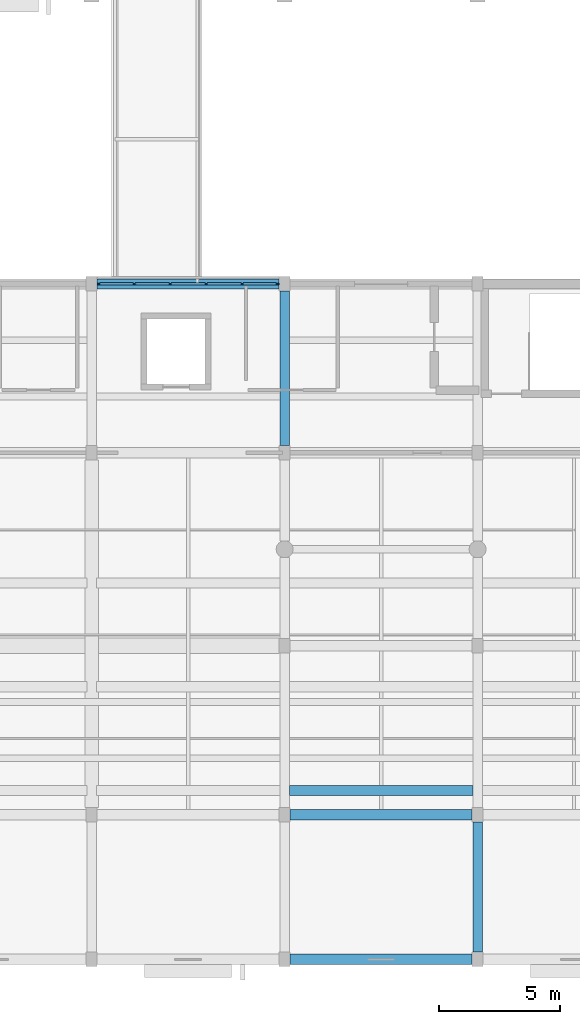
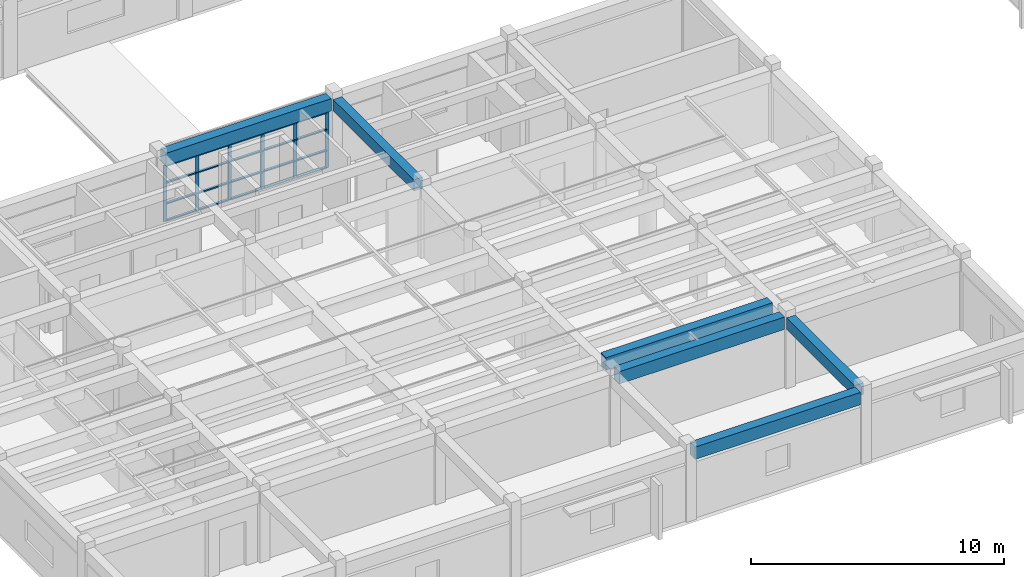
# One storey, part 3 of 33: 26 members, 6 beams, 1 element without a shape of its own.
"""IFC4 building model written with IfcOpenShell, lengths in metres."""

from ifc_helpers import new_model, si_unit, direction, frame, origin, origin_2d, place, context, subcontext, project, spatial, rectangle, extrude, material, layer, layer_set, material_profile, profile_set, type_object, element, aggregate, save


model = new_model("IFC4")

# Units and contexts
model_context = context("Model", 3, precision=1e-05, world=origin(), true_north=direction((0.0, 1.0)))
body_context = subcontext(model_context, "Body", "Model", "MODEL_VIEW")
ifc_project = project(units=[si_unit("LENGTHUNIT", "METRE"), si_unit("AREAUNIT", "SQUARE_METRE"), si_unit("VOLUMEUNIT", "CUBIC_METRE"), si_unit("PLANEANGLEUNIT", "RADIAN"), si_unit("MASSUNIT", "GRAM", prefix="KILO")], contexts=[model_context])

# Site, building, storey
site_placement = place(None, origin())
site = spatial("IfcSite", under=ifc_project, at=site_placement, CompositionType="ELEMENT")
building_placement = place(site_placement, origin())
building = spatial("IfcBuilding", under=site, at=building_placement, Name="Naurynzar Civic Courthouse", CompositionType="ELEMENT")
storey_placement = place(building_placement, frame((0.0, 0.0, 22.050048828125)))
storey = spatial("IfcBuildingStorey", under=building, at=storey_placement, Name="L06", CompositionType="ELEMENT", Elevation=22.050048828125)

# Beams
ifc_material_1 = material(Name="Concrete C40/50", Category="concrete")
ifc_material_profile_1 = material_profile(ifc_material_1, rectangle(XDim=0.39990234375, YDim=0.550048828125, at=origin_2d()), Name="RCB 400x550")
ifc_profile_set_1 = profile_set([ifc_material_profile_1], Name="Concrete C40/50")
beam_type_1 = type_object("IfcBeamType", Name="BM-RC-400x550", PredefinedType="BEAM", material=ifc_profile_set_1)
beam_1_placement = place(storey_placement, frame((101.0, 25.300048828125, 3.155029296875), z_axis=(0.0, 1.0, 0.0), x_axis=(-1.0, 0.0, 0.0)))
element("IfcBeam", 1, at=beam_1_placement, inside=storey, type_object=beam_type_1, Name="V3 girder Y-1672 L06", PredefinedType="BEAM", context=body_context, shape_type="SweptSolid", body=[
    extrude(rectangle(XDim=0.39990234375, YDim=0.550048828125, at=origin_2d()), origin(), (0.0, 0.0, 1.0), 6.39990234375),
])
beam_2_placement = place(storey_placement, frame((109.0, 4.300048828125, 3.155029296875), z_axis=(0.0, 1.0, 0.0), x_axis=(-1.0, 0.0, 0.0)))
element("IfcBeam", 2, at=beam_2_placement, inside=storey, type_object=beam_type_1, Name="V3 girder Y-1673 L06", PredefinedType="BEAM", context=body_context, shape_type="SweptSolid", body=[
    extrude(rectangle(XDim=0.39990234375, YDim=0.550048828125, at=origin_2d()), origin(), (0.0, 0.0, 1.0), 5.39990234375),
])
ifc_material_2 = material(Name="Concrete C40/50", Category="concrete")
ifc_material_profile_2 = material_profile(ifc_material_2, rectangle(XDim=0.425048828125, YDim=0.60009765625, at=origin_2d()), Name="RCB 425x600")
ifc_profile_set_2 = profile_set([ifc_material_profile_2], Name="Concrete C40/50")
beam_type_2 = type_object("IfcBeamType", Name="BM-RC-425x600", PredefinedType="BEAM", material=ifc_profile_set_2)
for number, where, z_axis, x_axis, name in (
    (3, (101.22509765625, 4.0, 3.1298828125), (1.0, 0.0, 0.0), (0.0, 1.0, 0.0), "V3 beam X-1634 L06"),
    (4, (101.22509765625, 10.0, 3.1298828125), (1.0, 0.0, 0.0), (0.0, 1.0, 0.0), "V3 beam X-1639 L06"),
    (5, (93.22509765625, 32.0, 3.1298828125), (1.0, 0.0, 0.0), (0.0, 1.0, 0.0), "V3 beam X-1652 L06"),
):
    element("IfcBeam", number, at=place(storey_placement, frame(where, z_axis=z_axis, x_axis=x_axis)), inside=storey, type_object=beam_type_2, Name=name, PredefinedType="BEAM", context=body_context, shape_type="SweptSolid", body=[
        extrude(rectangle(XDim=0.425048828125, YDim=0.60009765625, at=origin_2d()), origin(), (0.0, 0.0, 1.0), 7.5498046875),
    ])
beam_3_placement = place(storey_placement, frame((101.199951171875, 11.0, 3.199951171875), z_axis=(1.0, 0.0, 0.0), x_axis=(0.0, 1.0, 0.0)))
element("IfcBeam", 6, at=beam_3_placement, inside=storey, type_object=beam_type_2, Name="V3 clerestory valley beam 4", PredefinedType="BEAM", context=body_context, shape_type="SweptSolid", body=[
    extrude(rectangle(XDim=0.425048828125, YDim=0.60009765625, at=origin_2d()), origin(), (0.0, 0.0, 1.0), 7.60009765625),
])

# Curtain wall, members
ifc_material_3 = material(Name="Aluminium 6063-T6", Category="aluminium")
ifc_layer = layer(ifc_material_3, 0.179931640625)
ifc_layer_set = layer_set([ifc_layer], Name="CW-UNIT-1500")
curtain_wall_type = type_object("IfcCurtainWallType", Name="CW-UNIT-1500", PredefinedType="NOTDEFINED", material=ifc_layer_set)
curtain_wall_placement = place(storey_placement, origin())
curtain_wall = element("IfcCurtainWall", 7, at=curtain_wall_placement, inside=storey, type_object=curtain_wall_type, Name="V3 unitised curtain wall 73 L06", PredefinedType="NOTDEFINED")
ifc_material_4 = material(Name="Aluminium 6063-T6", Category="aluminium")
ifc_material_profile_3 = material_profile(ifc_material_4, rectangle(XDim=0.06005859375, YDim=0.14990234375, at=origin_2d()), Name="ALU MULLION 60x150")
ifc_profile_set_3 = profile_set([ifc_material_profile_3], Name="Aluminium 6063-T6")
member_type_1 = type_object("IfcMemberType", Name="CWM-60x150", PredefinedType="MULLION", material=ifc_profile_set_3)
member_1_placement = place(storey_placement, frame((93.304931640625, 32.0, 0.0), z_axis=(0.0, 0.0, 1.0), x_axis=(0.0, 1.0, 0.0)))
member_1 = element("IfcMember", 8, at=member_1_placement, type_object=member_type_1, Name="CW-01 mullion 1", PredefinedType="MULLION", context=body_context, shape_type="SweptSolid", body=[
    extrude(rectangle(XDim=0.06005859375, YDim=0.14990234375, at=origin_2d()), origin(), (0.0, 0.0, 1.0), 2.7099609375),
])
member_2_placement = place(storey_placement, frame((94.764892578125, 32.0, 0.0), z_axis=(0.0, 0.0, 1.0), x_axis=(0.0, 1.0, 0.0)))
member_2 = element("IfcMember", 9, at=member_2_placement, type_object=member_type_1, Name="CW-01 mullion 2", PredefinedType="MULLION", context=body_context, shape_type="SweptSolid", body=[
    extrude(rectangle(XDim=0.06005859375, YDim=0.14990234375, at=origin_2d()), origin(), (0.0, 0.0, 1.0), 2.7099609375),
])
member_3_placement = place(storey_placement, frame((96.2548828125, 32.0, 0.0), z_axis=(0.0, 0.0, 1.0), x_axis=(0.0, 1.0, 0.0)))
member_3 = element("IfcMember", 10, at=member_3_placement, type_object=member_type_1, Name="CW-01 mullion 3", PredefinedType="MULLION", context=body_context, shape_type="SweptSolid", body=[
    extrude(rectangle(XDim=0.06005859375, YDim=0.14990234375, at=origin_2d()), origin(), (0.0, 0.0, 1.0), 2.7099609375),
])
member_4_placement = place(storey_placement, frame((97.7451171875, 32.0, 0.0), z_axis=(0.0, 0.0, 1.0), x_axis=(0.0, 1.0, 0.0)))
member_4 = element("IfcMember", 11, at=member_4_placement, type_object=member_type_1, Name="CW-01 mullion 4", PredefinedType="MULLION", context=body_context, shape_type="SweptSolid", body=[
    extrude(rectangle(XDim=0.06005859375, YDim=0.14990234375, at=origin_2d()), origin(), (0.0, 0.0, 1.0), 2.7099609375),
])
member_5_placement = place(storey_placement, frame((99.235107421875, 32.0, 0.0), z_axis=(0.0, 0.0, 1.0), x_axis=(0.0, 1.0, 0.0)))
member_5 = element("IfcMember", 12, at=member_5_placement, type_object=member_type_1, Name="CW-01 mullion 5", PredefinedType="MULLION", context=body_context, shape_type="SweptSolid", body=[
    extrude(rectangle(XDim=0.06005859375, YDim=0.14990234375, at=origin_2d()), origin(), (0.0, 0.0, 1.0), 2.7099609375),
])
member_6_placement = place(storey_placement, frame((100.695068359375, 32.0, 0.0), z_axis=(0.0, 0.0, 1.0), x_axis=(0.0, 1.0, 0.0)))
member_6 = element("IfcMember", 13, at=member_6_placement, type_object=member_type_1, Name="CW-01 mullion 6", PredefinedType="MULLION", context=body_context, shape_type="SweptSolid", body=[
    extrude(rectangle(XDim=0.06005859375, YDim=0.14990234375, at=origin_2d()), origin(), (0.0, 0.0, 1.0), 2.7099609375),
])
ifc_material_5 = material(Name="Aluminium 6063-T6", Category="aluminium")
ifc_material_profile_4 = material_profile(ifc_material_5, rectangle(XDim=0.110107421875, YDim=0.06005859375, at=origin_2d()), Name="ALU TRANSOM 60x110")
ifc_profile_set_4 = profile_set([ifc_material_profile_4], Name="Aluminium 6063-T6")
member_type_2 = type_object("IfcMemberType", Name="CWT-60x110", PredefinedType="USERDEFINED", material=ifc_profile_set_4)
member_7_placement = place(storey_placement, frame((93.3349609375, 32.0, 0.030029296875), z_axis=(1.0, 0.0, 0.0), x_axis=(0.0, 1.0, 0.0)))
member_7 = element("IfcMember", 14, at=member_7_placement, type_object=member_type_2, Name="CW-01 transom 1.1", ObjectType="TRANSOM", PredefinedType="USERDEFINED", context=body_context, shape_type="SweptSolid", body=[
    extrude(rectangle(XDim=0.110107421875, YDim=0.06005859375, at=origin_2d()), origin(), (0.0, 0.0, 1.0), 1.400146484375),
])
member_8_placement = place(storey_placement, frame((93.3349609375, 32.0, 0.849853515625), z_axis=(1.0, 0.0, 0.0), x_axis=(0.0, 1.0, 0.0)))
member_8 = element("IfcMember", 15, at=member_8_placement, type_object=member_type_2, Name="CW-01 transom 1.2", ObjectType="TRANSOM", PredefinedType="USERDEFINED", context=body_context, shape_type="SweptSolid", body=[
    extrude(rectangle(XDim=0.110107421875, YDim=0.06005859375, at=origin_2d()), origin(), (0.0, 0.0, 1.0), 1.400146484375),
])
member_9_placement = place(storey_placement, frame((93.3349609375, 32.0, 1.85986328125), z_axis=(1.0, 0.0, 0.0), x_axis=(0.0, 1.0, 0.0)))
member_9 = element("IfcMember", 16, at=member_9_placement, type_object=member_type_2, Name="CW-01 transom 1.3", ObjectType="TRANSOM", PredefinedType="USERDEFINED", context=body_context, shape_type="SweptSolid", body=[
    extrude(rectangle(XDim=0.110107421875, YDim=0.06005859375, at=origin_2d()), origin(), (0.0, 0.0, 1.0), 1.400146484375),
])
member_10_placement = place(storey_placement, frame((93.3349609375, 32.0, 2.679931640625), z_axis=(1.0, 0.0, 0.0), x_axis=(0.0, 1.0, 0.0)))
member_10 = element("IfcMember", 17, at=member_10_placement, type_object=member_type_2, Name="CW-01 transom 1.4", ObjectType="TRANSOM", PredefinedType="USERDEFINED", context=body_context, shape_type="SweptSolid", body=[
    extrude(rectangle(XDim=0.110107421875, YDim=0.06005859375, at=origin_2d()), origin(), (0.0, 0.0, 1.0), 1.400146484375),
])
member_11_placement = place(storey_placement, frame((94.794921875, 32.0, 0.030029296875), z_axis=(1.0, 0.0, 0.0), x_axis=(0.0, 1.0, 0.0)))
member_11 = element("IfcMember", 18, at=member_11_placement, type_object=member_type_2, Name="CW-01 transom 2.1", ObjectType="TRANSOM", PredefinedType="USERDEFINED", context=body_context, shape_type="SweptSolid", body=[
    extrude(rectangle(XDim=0.110107421875, YDim=0.06005859375, at=origin_2d()), origin(), (0.0, 0.0, 1.0), 1.43017578125),
])
member_12_placement = place(storey_placement, frame((94.794921875, 32.0, 0.849853515625), z_axis=(1.0, 0.0, 0.0), x_axis=(0.0, 1.0, 0.0)))
member_12 = element("IfcMember", 19, at=member_12_placement, type_object=member_type_2, Name="CW-01 transom 2.2", ObjectType="TRANSOM", PredefinedType="USERDEFINED", context=body_context, shape_type="SweptSolid", body=[
    extrude(rectangle(XDim=0.110107421875, YDim=0.06005859375, at=origin_2d()), origin(), (0.0, 0.0, 1.0), 1.43017578125),
])
member_13_placement = place(storey_placement, frame((94.794921875, 32.0, 1.85986328125), z_axis=(1.0, 0.0, 0.0), x_axis=(0.0, 1.0, 0.0)))
member_13 = element("IfcMember", 20, at=member_13_placement, type_object=member_type_2, Name="CW-01 transom 2.3", ObjectType="TRANSOM", PredefinedType="USERDEFINED", context=body_context, shape_type="SweptSolid", body=[
    extrude(rectangle(XDim=0.110107421875, YDim=0.06005859375, at=origin_2d()), origin(), (0.0, 0.0, 1.0), 1.43017578125),
])
member_14_placement = place(storey_placement, frame((94.794921875, 32.0, 2.679931640625), z_axis=(1.0, 0.0, 0.0), x_axis=(0.0, 1.0, 0.0)))
member_14 = element("IfcMember", 21, at=member_14_placement, type_object=member_type_2, Name="CW-01 transom 2.4", ObjectType="TRANSOM", PredefinedType="USERDEFINED", context=body_context, shape_type="SweptSolid", body=[
    extrude(rectangle(XDim=0.110107421875, YDim=0.06005859375, at=origin_2d()), origin(), (0.0, 0.0, 1.0), 1.43017578125),
])
member_15_placement = place(storey_placement, frame((96.284912109375, 32.0, 0.030029296875), z_axis=(1.0, 0.0, 0.0), x_axis=(0.0, 1.0, 0.0)))
member_15 = element("IfcMember", 22, at=member_15_placement, type_object=member_type_2, Name="CW-01 transom 3.1", ObjectType="TRANSOM", PredefinedType="USERDEFINED", context=body_context, shape_type="SweptSolid", body=[
    extrude(rectangle(XDim=0.110107421875, YDim=0.06005859375, at=origin_2d()), origin(), (0.0, 0.0, 1.0), 1.43017578125),
])
member_16_placement = place(storey_placement, frame((96.284912109375, 32.0, 0.849853515625), z_axis=(1.0, 0.0, 0.0), x_axis=(0.0, 1.0, 0.0)))
member_16 = element("IfcMember", 23, at=member_16_placement, type_object=member_type_2, Name="CW-01 transom 3.2", ObjectType="TRANSOM", PredefinedType="USERDEFINED", context=body_context, shape_type="SweptSolid", body=[
    extrude(rectangle(XDim=0.110107421875, YDim=0.06005859375, at=origin_2d()), origin(), (0.0, 0.0, 1.0), 1.43017578125),
])
member_17_placement = place(storey_placement, frame((96.284912109375, 32.0, 1.85986328125), z_axis=(1.0, 0.0, 0.0), x_axis=(0.0, 1.0, 0.0)))
member_17 = element("IfcMember", 24, at=member_17_placement, type_object=member_type_2, Name="CW-01 transom 3.3", ObjectType="TRANSOM", PredefinedType="USERDEFINED", context=body_context, shape_type="SweptSolid", body=[
    extrude(rectangle(XDim=0.110107421875, YDim=0.06005859375, at=origin_2d()), origin(), (0.0, 0.0, 1.0), 1.43017578125),
])
member_18_placement = place(storey_placement, frame((96.284912109375, 32.0, 2.679931640625), z_axis=(1.0, 0.0, 0.0), x_axis=(0.0, 1.0, 0.0)))
member_18 = element("IfcMember", 25, at=member_18_placement, type_object=member_type_2, Name="CW-01 transom 3.4", ObjectType="TRANSOM", PredefinedType="USERDEFINED", context=body_context, shape_type="SweptSolid", body=[
    extrude(rectangle(XDim=0.110107421875, YDim=0.06005859375, at=origin_2d()), origin(), (0.0, 0.0, 1.0), 1.43017578125),
])
member_19_placement = place(storey_placement, frame((97.77490234375, 32.0, 0.030029296875), z_axis=(1.0, 0.0, 0.0), x_axis=(0.0, 1.0, 0.0)))
member_19 = element("IfcMember", 26, at=member_19_placement, type_object=member_type_2, Name="CW-01 transom 4.1", ObjectType="TRANSOM", PredefinedType="USERDEFINED", context=body_context, shape_type="SweptSolid", body=[
    extrude(rectangle(XDim=0.110107421875, YDim=0.06005859375, at=origin_2d()), origin(), (0.0, 0.0, 1.0), 1.43017578125),
])
member_20_placement = place(storey_placement, frame((97.77490234375, 32.0, 0.849853515625), z_axis=(1.0, 0.0, 0.0), x_axis=(0.0, 1.0, 0.0)))
member_20 = element("IfcMember", 27, at=member_20_placement, type_object=member_type_2, Name="CW-01 transom 4.2", ObjectType="TRANSOM", PredefinedType="USERDEFINED", context=body_context, shape_type="SweptSolid", body=[
    extrude(rectangle(XDim=0.110107421875, YDim=0.06005859375, at=origin_2d()), origin(), (0.0, 0.0, 1.0), 1.43017578125),
])
member_21_placement = place(storey_placement, frame((97.77490234375, 32.0, 1.85986328125), z_axis=(1.0, 0.0, 0.0), x_axis=(0.0, 1.0, 0.0)))
member_21 = element("IfcMember", 28, at=member_21_placement, type_object=member_type_2, Name="CW-01 transom 4.3", ObjectType="TRANSOM", PredefinedType="USERDEFINED", context=body_context, shape_type="SweptSolid", body=[
    extrude(rectangle(XDim=0.110107421875, YDim=0.06005859375, at=origin_2d()), origin(), (0.0, 0.0, 1.0), 1.43017578125),
])
member_22_placement = place(storey_placement, frame((97.77490234375, 32.0, 2.679931640625), z_axis=(1.0, 0.0, 0.0), x_axis=(0.0, 1.0, 0.0)))
member_22 = element("IfcMember", 29, at=member_22_placement, type_object=member_type_2, Name="CW-01 transom 4.4", ObjectType="TRANSOM", PredefinedType="USERDEFINED", context=body_context, shape_type="SweptSolid", body=[
    extrude(rectangle(XDim=0.110107421875, YDim=0.06005859375, at=origin_2d()), origin(), (0.0, 0.0, 1.0), 1.43017578125),
])
member_23_placement = place(storey_placement, frame((99.264892578125, 32.0, 0.030029296875), z_axis=(1.0, 0.0, 0.0), x_axis=(0.0, 1.0, 0.0)))
member_23 = element("IfcMember", 30, at=member_23_placement, type_object=member_type_2, Name="CW-01 transom 5.1", ObjectType="TRANSOM", PredefinedType="USERDEFINED", context=body_context, shape_type="SweptSolid", body=[
    extrude(rectangle(XDim=0.110107421875, YDim=0.06005859375, at=origin_2d()), origin(), (0.0, 0.0, 1.0), 1.400146484375),
])
member_24_placement = place(storey_placement, frame((99.264892578125, 32.0, 0.849853515625), z_axis=(1.0, 0.0, 0.0), x_axis=(0.0, 1.0, 0.0)))
member_24 = element("IfcMember", 31, at=member_24_placement, type_object=member_type_2, Name="CW-01 transom 5.2", ObjectType="TRANSOM", PredefinedType="USERDEFINED", context=body_context, shape_type="SweptSolid", body=[
    extrude(rectangle(XDim=0.110107421875, YDim=0.06005859375, at=origin_2d()), origin(), (0.0, 0.0, 1.0), 1.400146484375),
])
member_25_placement = place(storey_placement, frame((99.264892578125, 32.0, 1.85986328125), z_axis=(1.0, 0.0, 0.0), x_axis=(0.0, 1.0, 0.0)))
member_25 = element("IfcMember", 32, at=member_25_placement, type_object=member_type_2, Name="CW-01 transom 5.3", ObjectType="TRANSOM", PredefinedType="USERDEFINED", context=body_context, shape_type="SweptSolid", body=[
    extrude(rectangle(XDim=0.110107421875, YDim=0.06005859375, at=origin_2d()), origin(), (0.0, 0.0, 1.0), 1.400146484375),
])
member_26_placement = place(storey_placement, frame((99.264892578125, 32.0, 2.679931640625), z_axis=(1.0, 0.0, 0.0), x_axis=(0.0, 1.0, 0.0)))
member_26 = element("IfcMember", 33, at=member_26_placement, type_object=member_type_2, Name="CW-01 transom 5.4", ObjectType="TRANSOM", PredefinedType="USERDEFINED", context=body_context, shape_type="SweptSolid", body=[
    extrude(rectangle(XDim=0.110107421875, YDim=0.06005859375, at=origin_2d()), origin(), (0.0, 0.0, 1.0), 1.400146484375),
])
aggregate(curtain_wall, [member_1, member_2, member_3, member_4, member_5, member_6, member_7, member_8, member_9, member_10, member_11, member_12, member_13, member_14, member_15, member_16, member_17, member_18, member_19, member_20, member_21, member_22, member_23, member_24, member_25, member_26])

save(model, "model.ifc")
